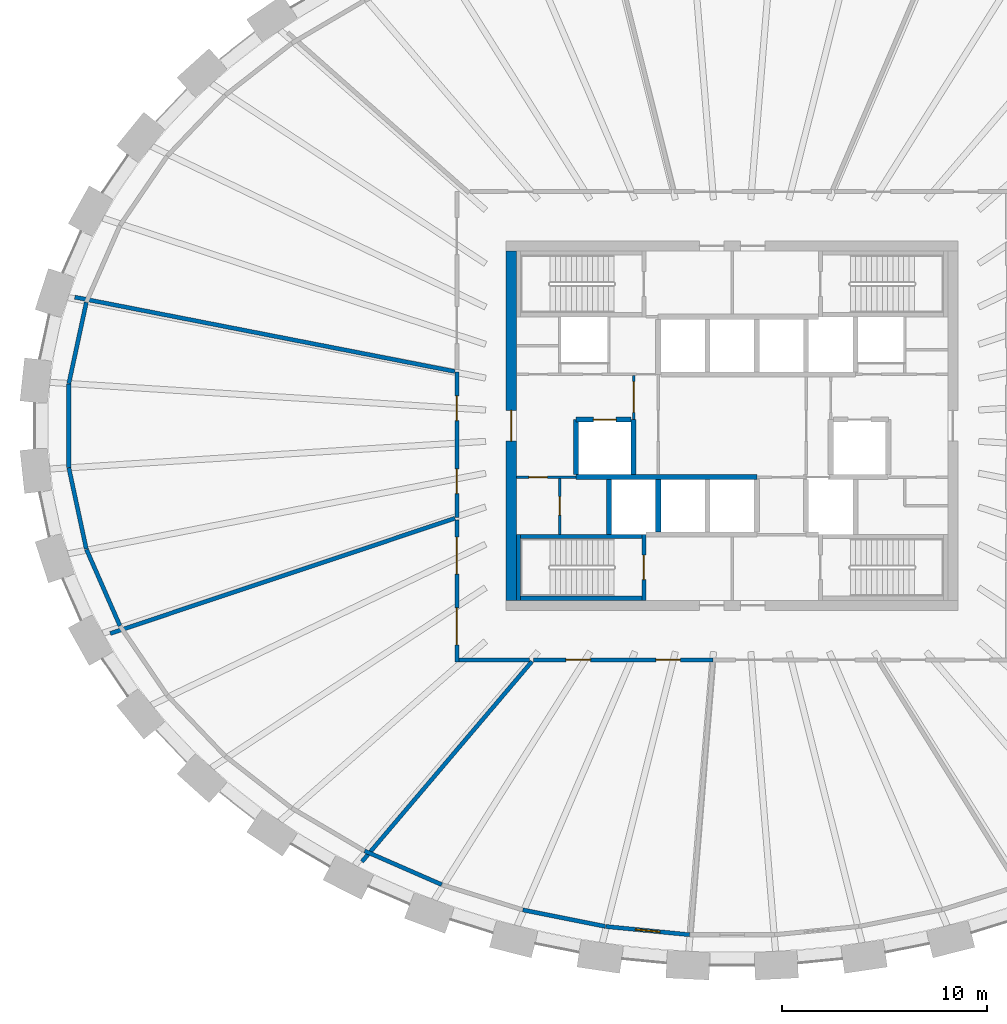
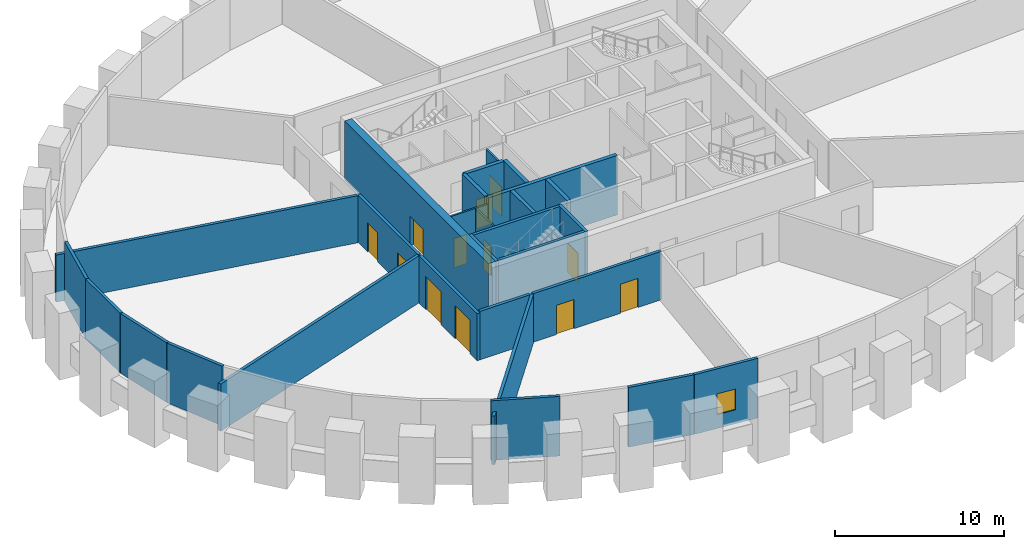
# One storey, part 3 of 8: 28 walls, 12 doors, 1 window, 13 openings.
"""IFC4 building model written with IfcOpenShell, lengths in metres."""

from ifc_helpers import new_model, si_unit, direction, frame, frame_2d, origin, place, context, subcontext, project, spatial, rectangle, extrude, source, transform, mapped, material, layer, layer_set, type_object, element, fill, save


model = new_model("IFC4")

# Units and contexts
model_context = context("Model", 3, precision=1e-05, world=origin(), true_north=direction((0.0, 1.0)))
body_context = subcontext(model_context, "Body", "Model", "MODEL_VIEW")
ifc_project = project(units=[si_unit("LENGTHUNIT", "METRE"), si_unit("AREAUNIT", "SQUARE_METRE"), si_unit("VOLUMEUNIT", "CUBIC_METRE"), si_unit("PLANEANGLEUNIT", "RADIAN"), si_unit("MASSUNIT", "GRAM", prefix="KILO")], contexts=[model_context])

# Site, building, storey
site_placement = place(None, origin())
site = spatial("IfcSite", under=ifc_project, at=site_placement, CompositionType="ELEMENT")
building_placement = place(site_placement, origin())
building = spatial("IfcBuilding", under=site, at=building_placement, Name="Embergate Tower", CompositionType="ELEMENT")
storey_placement = place(building_placement, frame((0.0, 0.0, 241.60009765625)))
storey = spatial("IfcBuildingStorey", under=building, at=storey_placement, Name="L55", CompositionType="ELEMENT", Elevation=241.60009765625)

# Wall, opening, door
ifc_material_1 = material(Name="Concrete C50", Category="concrete")
ifc_layer_1 = layer(ifc_material_1, 0.5)
ifc_layer_set_1 = layer_set([ifc_layer_1], Name="Concrete C50")
wall_type_1 = type_object("IfcWallType", Name="Core outer wall C50 500", PredefinedType="SHEAR", material=ifc_layer_set_1)
shared_shape_1 = source(origin(), body_context, "Body", "SweptSolid", [
    extrude(rectangle(XDim=17.0, YDim=0.5, at=frame_2d((8.5, 0.0))), origin(), (0.0, 0.0, 1.0), 4.2998046875),
])
wall_1_placement = place(storey_placement, frame((-10.75, -8.5, 0.0), z_axis=(0.0, 0.0, 1.0), x_axis=(0.0, 1.0, 0.0)))
wall_1 = element("IfcWall", 1, at=wall_1_placement, inside=storey, type_object=wall_type_1, Name="CW-L55-W", PredefinedType="SHEAR", context=body_context, shape_type="MappedRepresentation", body=[
    mapped(shared_shape_1, transform((0.0, 0.0, 0.0))),
])
shared_shape_2 = source(origin(), body_context, "Body", "SweptSolid", [
    extrude(rectangle(XDim=1.5, YDim=2.10009765625, at=frame_2d((0.75, 1.050048828125))), frame((0.0, 0.260009765625, 0.0), z_axis=(0.0, -1.0, 0.0), x_axis=(1.0, 0.0, 0.0)), (0.0, 0.0, 1.0), 0.52001953125),
])
opening_1_placement = place(wall_1_placement, frame((7.75, 0.0, 0.0)))
opening_1 = element("IfcOpeningElement", 2, at=opening_1_placement, cuts=wall_1, Name="Opening IF-3", PredefinedType="OPENING", context=body_context, shape_type="MappedRepresentation", body=[
    mapped(shared_shape_2, transform((0.0, 0.0, 0.0))),
])
ifc_material_2 = material(Name="Lobby fire door pair 1500")
door_type_1 = type_object("IfcDoorType", Name="Lobby fire door pair 1500", OperationType="DOUBLE_DOOR_SINGLE_SWING", PredefinedType="DOOR", material=ifc_material_2)
shared_shape_3 = source(origin(), body_context, "Body", "SweptSolid", [
    extrude(rectangle(XDim=1.5, YDim=2.10009765625, at=frame_2d((0.75, 1.050048828125))), frame((0.0, 0.02490234375, 0.0), z_axis=(0.0, -1.0, 0.0), x_axis=(1.0, 0.0, 0.0)), (0.0, 0.0, 1.0), 0.050048828125),
])
door_1_placement = place(opening_1_placement, origin())
door_1 = element("IfcDoor", 3, at=door_1_placement, inside=storey, type_object=door_type_1, Name="IF-3 door", OperationType="DOUBLE_DOOR_SINGLE_SWING", OverallHeight=2.10009765625, OverallWidth=1.5, PredefinedType="DOOR", context=body_context, shape_type="MappedRepresentation", body=[
    mapped(shared_shape_3, transform((0.0, 0.0, 0.0))),
])
fill(opening_1, door_1)

# Walls
ifc_material_3 = material(Name="Terracotta louvre cladding on insulated backing", Category="masonry")
ifc_layer_2 = layer(ifc_material_3, 0.199951171875)
ifc_layer_set_2 = layer_set([ifc_layer_2], Name="Terracotta louvre cladding on insulated backing")
wall_type_2 = type_object("IfcWallType", Name="Terracotta louvre wall", PredefinedType="SOLIDWALL", material=ifc_layer_set_2)
shared_shape_4 = source(origin(), body_context, "Body", "SweptSolid", [
    extrude(rectangle(XDim=4.05078125, YDim=0.199951171875, at=frame_2d((2.025390625, 0.0))), origin(), (0.0, 0.0, 1.0), 4.2998046875),
])
for number, where, z_axis, x_axis, name in (
    (4, (-32.29296875, 2.0439453125, 0.0), (0.0, 0.0, 1.0), (0.210397460999, 0.977615930928, 0.0), "Louvre wall 21"),
    (5, (-31.440673828125, -6.004150390625, 0.0), (0.0, 0.0, 1.0), (-0.210397460999, 0.977615930928, 0.0), "Louvre wall 23"),
):
    element("IfcWall", number, at=place(storey_placement, frame(where, z_axis=z_axis, x_axis=x_axis)), inside=storey, type_object=wall_type_2, Name=name, PredefinedType="SOLIDWALL", context=body_context, shape_type="MappedRepresentation", body=[
        mapped(shared_shape_4, transform((0.0, 0.0, 0.0))),
    ])
shared_shape_5 = source(origin(), body_context, "Body", "SweptSolid", [
    extrude(rectangle(XDim=4.057861328125, YDim=0.199951171875, at=frame_2d((2.02880859375, 0.0))), origin(), (0.0, 0.0, 1.0), 4.2998046875),
])
wall_2_placement = place(storey_placement, frame((-29.8046875, -9.7392578125, 0.0), z_axis=(0.0, 0.0, 1.0), x_axis=(-0.401667691824, 0.915785490901, 0.0)))
element("IfcWall", 6, at=wall_2_placement, inside=storey, type_object=wall_type_2, Name="Louvre wall 24", PredefinedType="SOLIDWALL", context=body_context, shape_type="MappedRepresentation", body=[
    mapped(shared_shape_5, transform((0.0, 0.0, 0.0))),
])
shared_shape_6 = source(origin(), body_context, "Body", "SweptSolid", [
    extrude(rectangle(XDim=4.09375, YDim=0.199951171875, at=frame_2d((2.046875, 0.0))), origin(), (0.0, 0.0, 1.0), 4.2998046875),
])
wall_3_placement = place(storey_placement, frame((-14.1396484375, -22.342529296875, 0.0), z_axis=(0.0, 0.0, 1.0), x_axis=(-0.916229864061, 0.400653012222, 0.0)))
element("IfcWall", 7, at=wall_3_placement, inside=storey, type_object=wall_type_2, Name="Louvre wall 29", PredefinedType="SOLIDWALL", context=body_context, shape_type="MappedRepresentation", body=[
    mapped(shared_shape_6, transform((0.0, 0.0, 0.0))),
])
shared_shape_7 = source(origin(), body_context, "Body", "SweptSolid", [
    extrude(rectangle(XDim=4.09912109375, YDim=0.199951171875, at=frame_2d((2.049560546875, 0.0))), origin(), (0.0, 0.0, 1.0), 4.2998046875),
])
wall_4_placement = place(storey_placement, frame((-6.1708984375, -24.378662109375, 0.0), z_axis=(0.0, 0.0, 1.0), x_axis=(-0.980470565335, 0.196665885478, 0.0)))
element("IfcWall", 8, at=wall_4_placement, inside=storey, type_object=wall_type_2, Name="Louvre wall 31", PredefinedType="SOLIDWALL", context=body_context, shape_type="MappedRepresentation", body=[
    mapped(shared_shape_7, transform((0.0, 0.0, 0.0))),
])

# Wall, opening, window
shared_shape_8 = source(origin(), body_context, "Body", "SweptSolid", [
    extrude(rectangle(XDim=4.1005859375, YDim=0.199951171875, at=frame_2d((2.05029296875, 0.0))), origin(), (0.0, 0.0, 1.0), 4.2998046875),
])
wall_5_placement = place(storey_placement, frame((-2.0703125, -24.78271484375, 0.0), z_axis=(0.0, 0.0, 1.0), x_axis=(-0.995203779516, 0.097823500433, 0.0)))
wall_5 = element("IfcWall", 9, at=wall_5_placement, inside=storey, type_object=wall_type_2, Name="Louvre wall 32", PredefinedType="SOLIDWALL", context=body_context, shape_type="MappedRepresentation", body=[
    mapped(shared_shape_8, transform((0.0, 0.0, 0.0))),
])
shared_shape_9 = source(origin(), body_context, "Body", "SweptSolid", [
    extrude(rectangle(XDim=1.199951171875, YDim=1.5, at=frame_2d((0.60009765625, 0.75))), frame((0.0, 0.10986328125, 0.0), z_axis=(0.0, -1.0, 0.0), x_axis=(1.0, 0.0, 0.0)), (0.0, 0.0, 1.0), 0.219970703125),
])
opening_2_placement = place(wall_5_placement, frame((1.4501953125, 0.0, 1.0)))
opening_2 = element("IfcOpeningElement", 10, at=opening_2_placement, cuts=wall_5, Name="Opening RW", PredefinedType="OPENING", context=body_context, shape_type="MappedRepresentation", body=[
    mapped(shared_shape_9, transform((0.0, 0.0, 0.0))),
])
ifc_material_4 = material(Name="Aluminium, thermally broken, triple glazed", Category="aluminium")
window_type = type_object("IfcWindowType", Name="Refuge operable window", PartitioningType="SINGLE_PANEL", PredefinedType="WINDOW", material=ifc_material_4)
shared_shape_10 = source(origin(), body_context, "Body", "SweptSolid", [
    extrude(rectangle(XDim=1.199951171875, YDim=1.5, at=frame_2d((0.60009765625, 0.75))), frame((0.0, 0.030029296875, 0.0), z_axis=(0.0, -1.0, 0.0), x_axis=(1.0, 0.0, 0.0)), (0.0, 0.0, 1.0), 0.06005859375),
])
window_placement = place(opening_2_placement, origin())
window = element("IfcWindow", 11, at=window_placement, inside=storey, type_object=window_type, Name="Refuge window 32", OverallHeight=1.5, OverallWidth=1.199951171875, PartitioningType="SINGLE_PANEL", PredefinedType="WINDOW", context=body_context, shape_type="MappedRepresentation", body=[
    mapped(shared_shape_10, transform((0.0, 0.0, 0.0))),
])
fill(opening_2, window)

# Walls
shared_shape_11 = source(origin(), body_context, "Body", "SweptSolid", [
    extrude(rectangle(XDim=4.04833984375, YDim=0.199951171875, at=frame_2d((2.024169921875, 0.0))), origin(), (0.0, 0.0, 1.0), 4.2998046875),
])
wall_6_placement = place(storey_placement, frame((-32.294921875, -2.024169921875, 0.0), z_axis=(0.0, 0.0, 1.0), x_axis=(0.0, 1.0, 0.0)))
element("IfcWall", 12, at=wall_6_placement, inside=storey, type_object=wall_type_2, Name="Louvre wall 22", PredefinedType="SOLIDWALL", context=body_context, shape_type="MappedRepresentation", body=[
    mapped(shared_shape_11, transform((0.0, 0.0, 0.0))),
])
ifc_layer_3 = layer(ifc_material_1, 0.25)
ifc_layer_set_3 = layer_set([ifc_layer_3], Name="Concrete C50")
wall_type_3 = type_object("IfcWallType", Name="Hoistway wall reinforced concrete 250", PredefinedType="SHEAR", material=ifc_layer_set_3)
shared_shape_12 = source(origin(), body_context, "Body", "SweptSolid", [
    extrude(rectangle(XDim=2.675048828125, YDim=0.25, at=frame_2d((1.33740234375, 0.0))), origin(), (0.0, 0.0, 1.0), 4.2998046875),
])
for number, where, z_axis, x_axis, name in (
    (13, (-6.0, -5.300048828125, 0.0), (0.0, 0.0, 1.0), (0.0, 1.0, 0.0), "HW-1 wall"),
    (14, (-4.800048828125, 0.300048828125, 0.0), (0.0, 0.0, 1.0), (0.0, -1.0, 0.0), "HW-1 wall"),
):
    element("IfcWall", number, at=place(storey_placement, frame(where, z_axis=z_axis, x_axis=x_axis)), inside=storey, type_object=wall_type_3, Name=name, PredefinedType="SHEAR", context=body_context, shape_type="MappedRepresentation", body=[
        mapped(shared_shape_12, transform((0.0, 0.0, 0.0))),
    ])

# Wall, opening, door
wall_7_placement = place(storey_placement, frame((-4.925048828125, 0.300048828125, 0.0), z_axis=(0.0, 0.0, 1.0), x_axis=(-1.0, 0.0, 0.0)))
wall_7 = element("IfcWall", 15, at=wall_7_placement, inside=storey, type_object=wall_type_3, Name="HW-1 wall", PredefinedType="SHEAR", context=body_context, shape_type="MappedRepresentation", body=[
    mapped(shared_shape_12, transform((0.0, 0.0, 0.0))),
])
shared_shape_13 = source(origin(), body_context, "Body", "SweptSolid", [
    extrude(rectangle(XDim=1.10009765625, YDim=2.10009765625, at=frame_2d((0.550048828125, 1.050048828125))), frame((0.0, 0.135009765625, 0.0), z_axis=(0.0, -1.0, 0.0), x_axis=(1.0, 0.0, 0.0)), (0.0, 0.0, 1.0), 0.27001953125),
])
opening_3_placement = place(wall_7_placement, frame((0.72509765625, 0.0, 0.0)))
opening_3 = element("IfcOpeningElement", 16, at=opening_3_placement, cuts=wall_7, Name="Opening LD", PredefinedType="OPENING", context=body_context, shape_type="MappedRepresentation", body=[
    mapped(shared_shape_13, transform((0.0, 0.0, 0.0))),
])
ifc_material_5 = material(Name="Landing door sliding 1100")
door_type_2 = type_object("IfcDoorType", Name="Landing door sliding 1100", OperationType="SLIDING_TO_LEFT", PredefinedType="DOOR", material=ifc_material_5)
shared_shape_14 = source(origin(), body_context, "Body", "SweptSolid", [
    extrude(rectangle(XDim=1.10009765625, YDim=2.10009765625, at=frame_2d((0.550048828125, 1.050048828125))), frame((0.0, 0.02490234375, 0.0), z_axis=(0.0, -1.0, 0.0), x_axis=(1.0, 0.0, 0.0)), (0.0, 0.0, 1.0), 0.050048828125),
])
door_2_placement = place(opening_3_placement, origin())
door_2 = element("IfcDoor", 17, at=door_2_placement, inside=storey, type_object=door_type_2, Name="LD door", OperationType="SLIDING_TO_LEFT", OverallHeight=2.10009765625, OverallWidth=1.10009765625, PredefinedType="DOOR", context=body_context, shape_type="MappedRepresentation", body=[
    mapped(shared_shape_14, transform((0.0, 0.0, 0.0))),
])
fill(opening_3, door_2)

# Walls
wall_8_placement = place(storey_placement, frame((-7.60009765625, 0.300048828125, 0.0), z_axis=(0.0, 0.0, 1.0), x_axis=(0.0, -1.0, 0.0)))
element("IfcWall", 18, at=wall_8_placement, inside=storey, type_object=wall_type_3, Name="HW-1 wall", PredefinedType="SHEAR", context=body_context, shape_type="MappedRepresentation", body=[
    mapped(shared_shape_12, transform((0.0, 0.0, 0.0))),
])
ifc_layer_4 = layer(ifc_material_1, 0.199951171875)
ifc_layer_set_4 = layer_set([ifc_layer_4], Name="Concrete C50")
wall_type_4 = type_object("IfcWallType", Name="Stair enclosure wall reinforced concrete 250", PredefinedType="SHEAR", material=ifc_layer_set_4)
shared_shape_15 = source(origin(), body_context, "Body", "SweptSolid", [
    extrude(rectangle(XDim=6.300048828125, YDim=0.199951171875, at=frame_2d((3.14990234375, 0.0))), origin(), (0.0, 0.0, 1.0), 4.2998046875),
])
wall_9_placement = place(storey_placement, frame((-10.5, -5.39990234375, 0.0), z_axis=(0.0, 0.0, 1.0), x_axis=(1.0, 0.0, 0.0)))
element("IfcWall", 19, at=wall_9_placement, inside=storey, type_object=wall_type_4, Name="SE-1 wall", PredefinedType="SHEAR", context=body_context, shape_type="MappedRepresentation", body=[
    mapped(shared_shape_15, transform((0.0, 0.0, 0.0))),
])

# Wall, opening, door
ifc_material_6 = material(Name="Core partition blockwork 120")
ifc_layer_5 = layer(ifc_material_6, 0.1201171875)
ifc_layer_set_5 = layer_set([ifc_layer_5], Name="Core partition blockwork 120")
wall_type_5 = type_object("IfcWallType", Name="Core partition blockwork 120", PredefinedType="PARTITIONING", material=ifc_layer_set_5)
shared_shape_16 = source(origin(), body_context, "Body", "SweptSolid", [
    extrude(rectangle(XDim=2.739990234375, YDim=0.1201171875, at=frame_2d((1.3701171875, 0.0))), origin(), (0.0, 0.0, 1.0), 3.7998046875),
])
wall_10_placement = place(storey_placement, frame((-8.39990234375, -2.56005859375, 0.0), z_axis=(0.0, 0.0, 1.0), x_axis=(0.0, -1.0, 0.0)))
wall_10 = element("IfcWall", 20, at=wall_10_placement, inside=storey, type_object=wall_type_5, Name="IP-3 wall", PredefinedType="PARTITIONING", context=body_context, shape_type="MappedRepresentation", body=[
    mapped(shared_shape_16, transform((0.0, 0.0, 0.0))),
])
shared_shape_17 = source(origin(), body_context, "Body", "SweptSolid", [
    extrude(rectangle(XDim=0.89990234375, YDim=2.10009765625, at=frame_2d((0.449951171875, 1.050048828125))), frame((0.0, 0.070068359375, 0.0), z_axis=(0.0, -1.0, 0.0), x_axis=(1.0, 0.0, 0.0)), (0.0, 0.0, 1.0), 0.14013671875),
])
opening_4_placement = place(wall_10_placement, frame((0.889892578125, 0.0, 0.0)))
opening_4 = element("IfcOpeningElement", 21, at=opening_4_placement, cuts=wall_10, Name="Opening ID-1", PredefinedType="OPENING", context=body_context, shape_type="MappedRepresentation", body=[
    mapped(shared_shape_17, transform((0.0, 0.0, 0.0))),
])
ifc_material_7 = material(Name="Interior door 900")
door_type_3 = type_object("IfcDoorType", Name="Interior door 900", OperationType="SINGLE_SWING_LEFT", PredefinedType="DOOR", material=ifc_material_7)
shared_shape_18 = source(origin(), body_context, "Body", "SweptSolid", [
    extrude(rectangle(XDim=0.89990234375, YDim=2.10009765625, at=frame_2d((0.449951171875, 1.050048828125))), frame((0.0, 0.02490234375, 0.0), z_axis=(0.0, -1.0, 0.0), x_axis=(1.0, 0.0, 0.0)), (0.0, 0.0, 1.0), 0.050048828125),
])
door_3_placement = place(opening_4_placement, origin())
door_3 = element("IfcDoor", 22, at=door_3_placement, inside=storey, type_object=door_type_3, Name="ID-1 door", OperationType="SINGLE_SWING_RIGHT", OverallHeight=2.10009765625, OverallWidth=0.89990234375, PredefinedType="DOOR", context=body_context, shape_type="MappedRepresentation", body=[
    mapped(shared_shape_18, transform((0.0, 0.0, 0.0))),
])
fill(opening_4, door_3)

# Wall
shared_shape_19 = source(origin(), body_context, "Body", "SweptSolid", [
    extrude(rectangle(XDim=2.550048828125, YDim=0.25, at=frame_2d((1.27490234375, 0.0))), origin(), (0.0, 0.0, 1.0), 4.2998046875),
])
wall_11_placement = place(storey_placement, frame((-3.60009765625, -5.175048828125, 0.0), z_axis=(0.0, 0.0, 1.0), x_axis=(0.0, 1.0, 0.0)))
element("IfcWall", 23, at=wall_11_placement, inside=storey, type_object=wall_type_3, Name="HW-1 wall", PredefinedType="SHEAR", context=body_context, shape_type="MappedRepresentation", body=[
    mapped(shared_shape_19, transform((0.0, 0.0, 0.0))),
])

# Wall, opening, door
shared_shape_20 = source(origin(), body_context, "Body", "SweptSolid", [
    extrude(rectangle(XDim=3.199951171875, YDim=0.199951171875, at=frame_2d((1.60009765625, 0.0))), origin(), (0.0, 0.0, 1.0), 4.2998046875),
])
wall_12_placement = place(storey_placement, frame((-4.300048828125, -8.5, 0.0), z_axis=(0.0, 0.0, 1.0), x_axis=(0.0, 1.0, 0.0)))
wall_12 = element("IfcWall", 24, at=wall_12_placement, inside=storey, type_object=wall_type_4, Name="SE-1 wall", PredefinedType="SHEAR", context=body_context, shape_type="MappedRepresentation", body=[
    mapped(shared_shape_20, transform((0.0, 0.0, 0.0))),
])
shared_shape_21 = source(origin(), body_context, "Body", "SweptSolid", [
    extrude(rectangle(XDim=1.199951171875, YDim=2.10009765625, at=frame_2d((0.60009765625, 1.050048828125))), frame((0.0, 0.10986328125, 0.0), z_axis=(0.0, -1.0, 0.0), x_axis=(1.0, 0.0, 0.0)), (0.0, 0.0, 1.0), 0.219970703125),
])
opening_5_placement = place(wall_12_placement, frame((1.0, 0.0, 0.0)))
opening_5 = element("IfcOpeningElement", 25, at=opening_5_placement, cuts=wall_12, Name="Opening IF-2", PredefinedType="OPENING", context=body_context, shape_type="MappedRepresentation", body=[
    mapped(shared_shape_21, transform((0.0, 0.0, 0.0))),
])
ifc_material_8 = material(Name="Stair enclosure door 1200")
door_type_4 = type_object("IfcDoorType", Name="Stair enclosure door 1200", OperationType="SINGLE_SWING_LEFT", PredefinedType="DOOR", material=ifc_material_8)
shared_shape_22 = source(origin(), body_context, "Body", "SweptSolid", [
    extrude(rectangle(XDim=1.199951171875, YDim=2.10009765625, at=frame_2d((0.60009765625, 1.050048828125))), frame((0.0, 0.02490234375, 0.0), z_axis=(0.0, -1.0, 0.0), x_axis=(1.0, 0.0, 0.0)), (0.0, 0.0, 1.0), 0.050048828125),
])
door_4_placement = place(opening_5_placement, origin())
door_4 = element("IfcDoor", 26, at=door_4_placement, inside=storey, type_object=door_type_4, Name="IF-2 door", OperationType="SINGLE_SWING_LEFT", OverallHeight=2.10009765625, OverallWidth=1.199951171875, PredefinedType="DOOR", context=body_context, shape_type="MappedRepresentation", body=[
    mapped(shared_shape_22, transform((0.0, 0.0, 0.0))),
])
fill(opening_5, door_4)

# Wall
shared_shape_23 = source(origin(), body_context, "Body", "SweptSolid", [
    extrude(rectangle(XDim=8.800048828125, YDim=0.25, at=frame_2d((4.39990234375, 0.0))), origin(), (0.0, 0.0, 1.0), 4.2998046875),
])
wall_13_placement = place(storey_placement, frame((1.199951171875, -2.5, 0.0), z_axis=(0.0, 0.0, 1.0), x_axis=(-1.0, 0.0, 0.0)))
element("IfcWall", 27, at=wall_13_placement, inside=storey, type_object=wall_type_3, Name="HW-1 wall", PredefinedType="SHEAR", context=body_context, shape_type="MappedRepresentation", body=[
    mapped(shared_shape_23, transform((0.0, 0.0, 0.0))),
])

# Wall, opening, door
shared_shape_24 = source(origin(), body_context, "Body", "SweptSolid", [
    extrude(rectangle(XDim=2.89990234375, YDim=0.1201171875, at=frame_2d((1.449951171875, 0.0))), origin(), (0.0, 0.0, 1.0), 3.7998046875),
])
wall_14_placement = place(storey_placement, frame((-7.60009765625, -2.5, 0.0), z_axis=(0.0, 0.0, 1.0), x_axis=(-1.0, 0.0, 0.0)))
wall_14 = element("IfcWall", 28, at=wall_14_placement, inside=storey, type_object=wall_type_5, Name="IP-3 wall", PredefinedType="PARTITIONING", context=body_context, shape_type="MappedRepresentation", body=[
    mapped(shared_shape_24, transform((0.0, 0.0, 0.0))),
])
opening_6_placement = place(wall_14_placement, frame((1.39990234375, 0.0, 0.0)))
opening_6 = element("IfcOpeningElement", 29, at=opening_6_placement, cuts=wall_14, Name="Opening ID-1", PredefinedType="OPENING", context=body_context, shape_type="MappedRepresentation", body=[
    mapped(shared_shape_17, transform((0.0, 0.0, 0.0))),
])
door_5_placement = place(opening_6_placement, origin())
door_5 = element("IfcDoor", 30, at=door_5_placement, inside=storey, type_object=door_type_3, Name="ID-1 door", OperationType="SINGLE_SWING_RIGHT", OverallHeight=2.10009765625, OverallWidth=0.89990234375, PredefinedType="DOOR", context=body_context, shape_type="MappedRepresentation", body=[
    mapped(shared_shape_18, transform((0.0, 0.0, 0.0))),
])
fill(opening_6, door_5)

shared_shape_25 = source(origin(), body_context, "Body", "SweptSolid", [
    extrude(rectangle(XDim=2.139892578125, YDim=0.1201171875, at=frame_2d((1.06982421875, 0.0))), origin(), (0.0, 0.0, 1.0), 3.7998046875),
])
wall_15_placement = place(storey_placement, frame((-4.800048828125, 2.43994140625, 0.0), z_axis=(0.0, 0.0, 1.0), x_axis=(0.0, -1.0, 0.0)))
wall_15 = element("IfcWall", 31, at=wall_15_placement, inside=storey, type_object=wall_type_5, Name="IP-3 wall", PredefinedType="PARTITIONING", context=body_context, shape_type="MappedRepresentation", body=[
    mapped(shared_shape_25, transform((0.0, 0.0, 0.0))),
])
shared_shape_26 = source(origin(), body_context, "Body", "SweptSolid", [
    extrude(rectangle(XDim=1.5, YDim=2.10009765625, at=frame_2d((0.75, 1.050048828125))), frame((0.0, 0.070068359375, 0.0), z_axis=(0.0, -1.0, 0.0), x_axis=(1.0, 0.0, 0.0)), (0.0, 0.0, 1.0), 0.14013671875),
])
opening_7_placement = place(wall_15_placement, frame((0.2900390625, 0.0, 0.0)))
opening_7 = element("IfcOpeningElement", 32, at=opening_7_placement, cuts=wall_15, Name="Opening IF-3", PredefinedType="OPENING", context=body_context, shape_type="MappedRepresentation", body=[
    mapped(shared_shape_26, transform((0.0, 0.0, 0.0))),
])
door_6_placement = place(opening_7_placement, origin())
door_6 = element("IfcDoor", 33, at=door_6_placement, inside=storey, type_object=door_type_1, Name="IF-3 door", OperationType="DOUBLE_DOOR_SINGLE_SWING", OverallHeight=2.10009765625, OverallWidth=1.5, PredefinedType="DOOR", context=body_context, shape_type="MappedRepresentation", body=[
    mapped(shared_shape_3, transform((0.0, 0.0, 0.0))),
])
fill(opening_7, door_6)

# Walls
shared_shape_27 = source(origin(), body_context, "Body", "SweptSolid", [
    extrude(rectangle(XDim=6.298095703125, YDim=0.199951171875, at=frame_2d((3.14892578125, 0.0))), origin(), (0.0, 0.0, 1.0), 4.2998046875),
])
wall_16_placement = place(storey_placement, frame((-10.5, -8.39990234375, 0.0), z_axis=(0.0, 0.0, 1.0), x_axis=(1.0, 0.0, 0.0)))
element("IfcWall", 34, at=wall_16_placement, inside=storey, type_object=wall_type_4, Name="SE-1 wall", PredefinedType="SHEAR", context=body_context, shape_type="MappedRepresentation", body=[
    mapped(shared_shape_27, transform((0.0, 0.0, 0.0))),
])
shared_shape_28 = source(origin(), body_context, "Body", "SweptSolid", [
    extrude(rectangle(XDim=3.197998046875, YDim=0.199951171875, at=frame_2d((1.59912109375, 0.0))), origin(), (0.0, 0.0, 1.0), 4.2998046875),
])
wall_17_placement = place(storey_placement, frame((-10.39990234375, -5.302001953125, 0.0), z_axis=(0.0, 0.0, 1.0), x_axis=(0.0, -1.0, 0.0)))
element("IfcWall", 35, at=wall_17_placement, inside=storey, type_object=wall_type_4, Name="SE-1 wall", PredefinedType="SHEAR", context=body_context, shape_type="MappedRepresentation", body=[
    mapped(shared_shape_28, transform((0.0, 0.0, 0.0))),
])

# Wall, openings, doors
ifc_material_9 = material(Name="Blockwork, plastered", Category="masonry")
ifc_layer_6 = layer(ifc_material_9, 0.199951171875)
ifc_layer_set_6 = layer_set([ifc_layer_6], Name="Blockwork, plastered")
wall_type_6 = type_object("IfcWallType", Name="Fire partition wall 200 block", PredefinedType="PARTITIONING", material=ifc_layer_set_6)
shared_shape_29 = source(origin(), body_context, "Body", "SweptSolid", [
    extrude(rectangle(XDim=6.903076171875, YDim=0.199951171875, at=frame_2d((3.45166015625, 0.0))), origin(), (0.0, 0.0, 1.0), 3.39990234375),
])
wall_18_placement = place(storey_placement, frame((-13.39990234375, -11.5, 0.0), z_axis=(0.0, 0.0, 1.0), x_axis=(0.0, 1.0, 0.0)))
wall_18 = element("IfcWall", 36, at=wall_18_placement, inside=storey, type_object=wall_type_6, Name="Partition 001", PredefinedType="PARTITIONING", context=body_context, shape_type="MappedRepresentation", body=[
    mapped(shared_shape_29, transform((0.0, 0.0, 0.0))),
])
shared_shape_30 = source(origin(), body_context, "Body", "SweptSolid", [
    extrude(rectangle(XDim=1.800048828125, YDim=2.39990234375, at=frame_2d((0.89990234375, 1.199951171875))), frame((0.0, 0.10986328125, 0.0), z_axis=(0.0, -1.0, 0.0), x_axis=(1.0, 0.0, 0.0)), (0.0, 0.0, 1.0), 0.219970703125),
])
opening_8_placement = place(wall_18_placement, frame((0.825927734375, 0.0, 0.0)))
opening_8 = element("IfcOpeningElement", 37, at=opening_8_placement, cuts=wall_18, Name="Opening DS-233", PredefinedType="OPENING", context=body_context, shape_type="MappedRepresentation", body=[
    mapped(shared_shape_30, transform((0.0, 0.0, 0.0))),
])
opening_9_placement = place(wall_18_placement, frame((4.277099609375, 0.0, 0.0)))
opening_9 = element("IfcOpeningElement", 38, at=opening_9_placement, cuts=wall_18, Name="Opening DS-234", PredefinedType="OPENING", context=body_context, shape_type="MappedRepresentation", body=[
    mapped(shared_shape_30, transform((0.0, 0.0, 0.0))),
])
ifc_material_10 = material(Name="Timber door leaf, steel frame", Category="steel")
door_type_5 = type_object("IfcDoorType", Name="Double door 1800x2400", OperationType="DOUBLE_DOOR_SINGLE_SWING", PredefinedType="DOOR", material=ifc_material_10)
shared_shape_31 = source(origin(), body_context, "Body", "SweptSolid", [
    extrude(rectangle(XDim=1.800048828125, YDim=2.39990234375, at=frame_2d((0.89990234375, 1.199951171875))), frame((0.0, 0.02490234375, 0.0), z_axis=(0.0, -1.0, 0.0), x_axis=(1.0, 0.0, 0.0)), (0.0, 0.0, 1.0), 0.050048828125),
])
door_7_placement = place(opening_8_placement, origin())
door_7 = element("IfcDoor", 39, at=door_7_placement, inside=storey, type_object=door_type_5, Name="Door to Refuge area", OperationType="SINGLE_SWING_LEFT", OverallHeight=2.39990234375, OverallWidth=1.800048828125, PredefinedType="DOOR", context=body_context, shape_type="MappedRepresentation", body=[
    mapped(shared_shape_31, transform((0.0, 0.0, 0.0))),
])
fill(opening_8, door_7)
door_8_placement = place(opening_9_placement, origin())
door_8 = element("IfcDoor", 40, at=door_8_placement, inside=storey, type_object=door_type_5, Name="Door to Refuge area", OperationType="SINGLE_SWING_LEFT", OverallHeight=2.39990234375, OverallWidth=1.800048828125, PredefinedType="DOOR", context=body_context, shape_type="MappedRepresentation", body=[
    mapped(shared_shape_31, transform((0.0, 0.0, 0.0))),
])
fill(opening_9, door_8)

# Wall
shared_shape_32 = source(origin(), body_context, "Body", "SweptSolid", [
    extrude(rectangle(XDim=17.69140625, YDim=0.199951171875, at=frame_2d((8.845703125, 0.0))), origin(), (0.0, 0.0, 1.0), 3.39990234375),
])
wall_19_placement = place(storey_placement, frame((-13.4951171875, -4.509033203125, 0.0), z_axis=(0.0, 0.0, 1.0), x_axis=(-0.948467799625, -0.316873528517, 0.0)))
element("IfcWall", 41, at=wall_19_placement, inside=storey, type_object=wall_type_6, Name="Partition 002", PredefinedType="PARTITIONING", context=body_context, shape_type="MappedRepresentation", body=[
    mapped(shared_shape_32, transform((0.0, 0.0, 0.0))),
])

# Wall, openings, doors
shared_shape_33 = source(origin(), body_context, "Body", "SweptSolid", [
    extrude(rectangle(XDim=7.09716796875, YDim=0.199951171875, at=frame_2d((3.548583984375, 0.0))), origin(), (0.0, 0.0, 1.0), 3.39990234375),
])
wall_20_placement = place(storey_placement, frame((-13.39990234375, -4.47705078125, 0.0), z_axis=(0.0, 0.0, 1.0), x_axis=(0.0, 1.0, 0.0)))
wall_20 = element("IfcWall", 42, at=wall_20_placement, inside=storey, type_object=wall_type_6, Name="Partition 003", PredefinedType="PARTITIONING", context=body_context, shape_type="MappedRepresentation", body=[
    mapped(shared_shape_33, transform((0.0, 0.0, 0.0))),
])
opening_10_placement = place(wall_20_placement, frame((1.174072265625, 0.0, 0.0)))
opening_10 = element("IfcOpeningElement", 43, at=opening_10_placement, cuts=wall_20, Name="Opening DS-231", PredefinedType="OPENING", context=body_context, shape_type="MappedRepresentation", body=[
    mapped(shared_shape_21, transform((0.0, 0.0, 0.0))),
])
opening_11_placement = place(wall_20_placement, frame((4.722900390625, 0.0, 0.0)))
opening_11 = element("IfcOpeningElement", 44, at=opening_11_placement, cuts=wall_20, Name="Opening DS-232", PredefinedType="OPENING", context=body_context, shape_type="MappedRepresentation", body=[
    mapped(shared_shape_21, transform((0.0, 0.0, 0.0))),
])
door_type_6 = type_object("IfcDoorType", Name="Plant door 1200x2100", OperationType="SINGLE_SWING_LEFT", PredefinedType="DOOR", material=ifc_material_10)
shared_shape_34 = source(origin(), body_context, "Body", "SweptSolid", [
    extrude(rectangle(XDim=1.199951171875, YDim=2.10009765625, at=frame_2d((0.60009765625, 1.050048828125))), frame((0.0, 0.02490234375, 0.0), z_axis=(0.0, -1.0, 0.0), x_axis=(1.0, 0.0, 0.0)), (0.0, 0.0, 1.0), 0.050048828125),
])
door_9_placement = place(opening_10_placement, origin())
door_9 = element("IfcDoor", 45, at=door_9_placement, inside=storey, type_object=door_type_6, Name="Door to Air handling plant room", OperationType="SINGLE_SWING_LEFT", OverallHeight=2.10009765625, OverallWidth=1.199951171875, PredefinedType="DOOR", context=body_context, shape_type="MappedRepresentation", body=[
    mapped(shared_shape_34, transform((0.0, 0.0, 0.0))),
])
fill(opening_10, door_9)
door_10_placement = place(opening_11_placement, origin())
door_10 = element("IfcDoor", 46, at=door_10_placement, inside=storey, type_object=door_type_6, Name="Door to Air handling plant room", OperationType="SINGLE_SWING_LEFT", OverallHeight=2.10009765625, OverallWidth=1.199951171875, PredefinedType="DOOR", context=body_context, shape_type="MappedRepresentation", body=[
    mapped(shared_shape_34, transform((0.0, 0.0, 0.0))),
])
fill(opening_11, door_10)

# Walls
shared_shape_35 = source(origin(), body_context, "Body", "SweptSolid", [
    extrude(rectangle(XDim=18.853271484375, YDim=0.199951171875, at=frame_2d((9.4267578125, 0.0))), origin(), (0.0, 0.0, 1.0), 3.39990234375),
])
wall_21_placement = place(storey_placement, frame((-13.498046875, 2.638916015625, 0.0), z_axis=(0.0, 0.0, 1.0), x_axis=(-0.981422137891, 0.191860853895, 0.0)))
element("IfcWall", 47, at=wall_21_placement, inside=storey, type_object=wall_type_6, Name="Partition 004", PredefinedType="PARTITIONING", context=body_context, shape_type="MappedRepresentation", body=[
    mapped(shared_shape_35, transform((0.0, 0.0, 0.0))),
])
shared_shape_36 = source(origin(), body_context, "Body", "SweptSolid", [
    extrude(rectangle(XDim=12.790771484375, YDim=0.199951171875, at=frame_2d((6.3955078125, 0.0))), origin(), (0.0, 0.0, 1.0), 3.5),
])
wall_22_placement = place(storey_placement, frame((-9.7451171875, -11.47607421875, 0.0), z_axis=(0.0, 0.0, 1.0), x_axis=(-0.647253841823, -0.762274533384, 0.0)))
element("IfcWall", 48, at=wall_22_placement, inside=storey, type_object=wall_type_6, Name="Partition 008", PredefinedType="PARTITIONING", context=body_context, shape_type="MappedRepresentation", body=[
    mapped(shared_shape_36, transform((0.0, 0.0, 0.0))),
])
shared_shape_37 = source(origin(), body_context, "Body", "SweptSolid", [
    extrude(rectangle(XDim=3.429931640625, YDim=0.199951171875, at=frame_2d((1.71484375, 0.0))), origin(), (0.0, 0.0, 1.0), 3.5),
])
wall_23_placement = place(storey_placement, frame((-9.8701171875, -11.39990234375, 0.0), z_axis=(0.0, 0.0, 1.0), x_axis=(-1.0, 0.0, 0.0)))
element("IfcWall", 49, at=wall_23_placement, inside=storey, type_object=wall_type_6, Name="Partition 009", PredefinedType="PARTITIONING", context=body_context, shape_type="MappedRepresentation", body=[
    mapped(shared_shape_37, transform((0.0, 0.0, 0.0))),
])

# Wall, openings, doors
shared_shape_38 = source(origin(), body_context, "Body", "SweptSolid", [
    extrude(rectangle(XDim=8.748046875, YDim=0.199951171875, at=frame_2d((4.3740234375, 0.0))), origin(), (0.0, 0.0, 1.0), 3.5),
])
wall_24_placement = place(storey_placement, frame((-0.931884765625, -11.39990234375, 0.0), z_axis=(0.0, 0.0, 1.0), x_axis=(-1.0, 0.0, 0.0)))
wall_24 = element("IfcWall", 50, at=wall_24_placement, inside=storey, type_object=wall_type_6, Name="Partition 012", PredefinedType="PARTITIONING", context=body_context, shape_type="MappedRepresentation", body=[
    mapped(shared_shape_38, transform((0.0, 0.0, 0.0))),
])
opening_12_placement = place(wall_24_placement, frame((1.5869140625, 0.0, 0.0)))
opening_12 = element("IfcOpeningElement", 51, at=opening_12_placement, cuts=wall_24, Name="Opening DS-235", PredefinedType="OPENING", context=body_context, shape_type="MappedRepresentation", body=[
    mapped(shared_shape_21, transform((0.0, 0.0, 0.0))),
])
opening_13_placement = place(wall_24_placement, frame((5.9609375, 0.0, 0.0)))
opening_13 = element("IfcOpeningElement", 52, at=opening_13_placement, cuts=wall_24, Name="Opening DS-236", PredefinedType="OPENING", context=body_context, shape_type="MappedRepresentation", body=[
    mapped(shared_shape_21, transform((0.0, 0.0, 0.0))),
])
door_11_placement = place(opening_12_placement, origin())
door_11 = element("IfcDoor", 53, at=door_11_placement, inside=storey, type_object=door_type_6, Name="Door to Transformer room", OperationType="SINGLE_SWING_LEFT", OverallHeight=2.10009765625, OverallWidth=1.199951171875, PredefinedType="DOOR", context=body_context, shape_type="MappedRepresentation", body=[
    mapped(shared_shape_34, transform((0.0, 0.0, 0.0))),
])
fill(opening_12, door_11)
door_12_placement = place(opening_13_placement, origin())
door_12 = element("IfcDoor", 54, at=door_12_placement, inside=storey, type_object=door_type_6, Name="Door to Transformer room", OperationType="SINGLE_SWING_LEFT", OverallHeight=2.10009765625, OverallWidth=1.199951171875, PredefinedType="DOOR", context=body_context, shape_type="MappedRepresentation", body=[
    mapped(shared_shape_34, transform((0.0, 0.0, 0.0))),
])
fill(opening_13, door_12)

save(model, "model.ifc")
